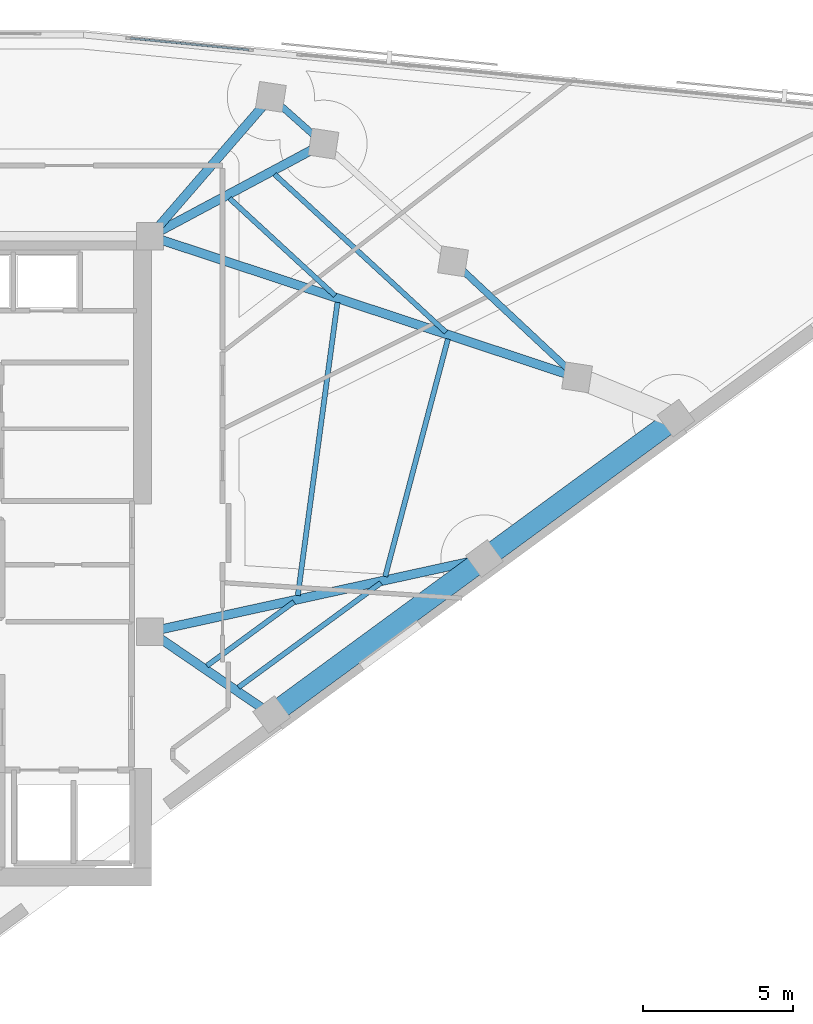
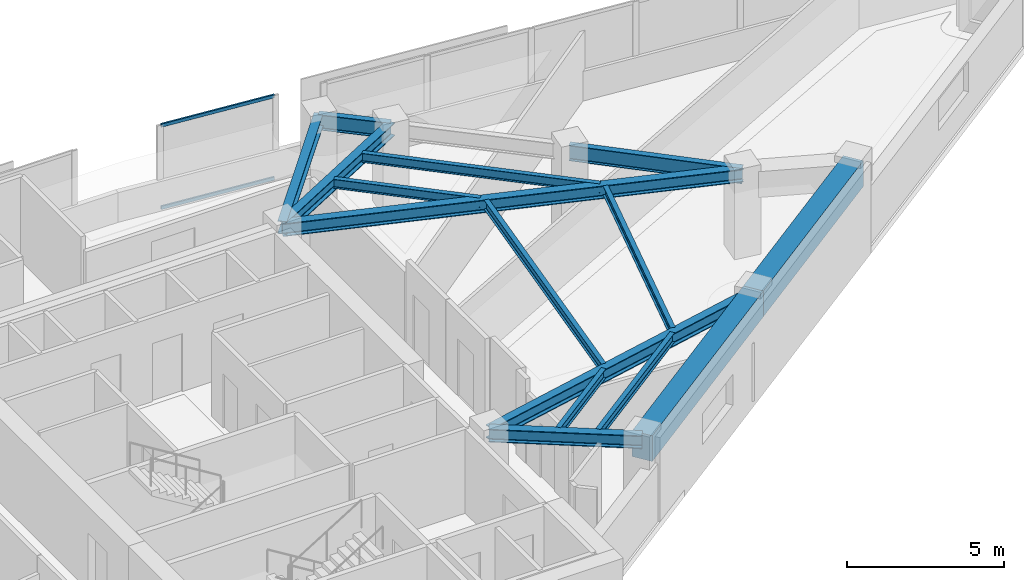
# One storey, part 4 of 13: 15 beams, 2 members, 1 element without a shape of its own.
"""IFC4 building model written with IfcOpenShell, lengths in metres."""

from ifc_helpers import new_model, si_unit, direction, frame, origin, origin_2d, place, context, subcontext, project, spatial, rectangle, hollow_rectangle, i_section, extrude, material, material_profile, profile_set, type_object, element, aggregate, save


model = new_model("IFC4")

# Units and contexts
model_context = context("Model", 3, precision=1e-05, world=origin(), true_north=direction((0.0, 1.0)))
body_context = subcontext(model_context, "Body", "Model", "MODEL_VIEW")
ifc_project = project(units=[si_unit("LENGTHUNIT", "METRE"), si_unit("AREAUNIT", "SQUARE_METRE"), si_unit("VOLUMEUNIT", "CUBIC_METRE"), si_unit("PLANEANGLEUNIT", "RADIAN"), si_unit("MASSUNIT", "GRAM", prefix="KILO")], contexts=[model_context])

# Site, building, storey
site_placement = place(None, origin())
site = spatial("IfcSite", under=ifc_project, at=site_placement, CompositionType="ELEMENT")
building_placement = place(site_placement, origin())
building = spatial("IfcBuilding", under=site, at=building_placement, Name="Narakoshi Arena Tower", CompositionType="ELEMENT")
storey_placement = place(building_placement, frame((0.0, 0.0, 243.139892578125)))
storey = spatial("IfcBuildingStorey", under=building, at=storey_placement, Name="L66", CompositionType="ELEMENT", Elevation=243.139892578125)

# Beams
ifc_material_1 = material(Name="Concrete C60/75", Category="concrete")
ifc_material_profile_1 = material_profile(ifc_material_1, rectangle(XDim=0.699951171875, YDim=1.0, at=origin_2d()), Name="RCB700x1000")
ifc_profile_set_1 = profile_set([ifc_material_profile_1], Name="Concrete C60/75")
beam_type_1 = type_object("IfcBeamType", Name="BM-CPL-1000", PredefinedType="BEAM", material=ifc_profile_set_1)
beam_1_placement = place(storey_placement, frame((89.58642578125, 40.594482421875, 2.760009765625), z_axis=(0.806446564509, 0.591306974922, 0.0), x_axis=(-0.591306974922, 0.806446564509, 0.0)))
element("IfcBeam", 1, at=beam_1_placement, inside=storey, type_object=beam_type_1, Name="L66 Perimeter Edge Girder 01", PredefinedType="BEAM", context=body_context, shape_type="SweptSolid", body=[
    extrude(rectangle(XDim=0.699951171875, YDim=1.0, at=origin_2d()), origin(), (0.0, 0.0, 1.0), 8.775390625),
])
beam_2_placement = place(storey_placement, frame((96.663330078125, 45.783447265625, 2.760009765625), z_axis=(0.806437425649, 0.59131943864, 0.0), x_axis=(-0.59131943864, 0.806437425649, 0.0)))
element("IfcBeam", 2, at=beam_2_placement, inside=storey, type_object=beam_type_1, Name="L66 Perimeter Edge Girder 02", PredefinedType="BEAM", context=body_context, shape_type="SweptSolid", body=[
    extrude(rectangle(XDim=0.699951171875, YDim=1.0, at=origin_2d()), origin(), (0.0, 0.0, 1.0), 7.89794921875),
])
ifc_material_2 = material(Name="Structural steel S355J2", Category="steel")
ifc_material_profile_2 = material_profile(ifc_material_2, i_section(OverallWidth=0.219970703125, OverallDepth=0.60009765625, WebThickness=0.011962890625, FlangeThickness=0.01904296875, FilletRadius=0.02392578125, at=origin_2d()), Name="IPE600")
ifc_profile_set_2 = profile_set([ifc_material_profile_2], Name="Structural steel S355J2")
beam_type_2 = type_object("IfcBeamType", Name="BM-EDGE-600", PredefinedType="BEAM", material=ifc_profile_set_2)
beam_3_placement = place(storey_placement, frame((99.74267578125, 51.80712890625, 2.960205078125), z_axis=(-0.730193480459, 0.683240427006, 0.0), x_axis=(-0.683240427006, -0.730193480459, 0.0)))
element("IfcBeam", 3, at=beam_3_placement, inside=storey, type_object=beam_type_2, Name="L66 Perimeter Edge Girder 04", PredefinedType="BEAM", context=body_context, shape_type="SweptSolid", body=[
    extrude(i_section(OverallWidth=0.219970703125, OverallDepth=0.60009765625, WebThickness=0.011962890625, FlangeThickness=0.01904296875, FilletRadius=0.02392578125, at=origin_2d()), origin(), (0.0, 0.0, 1.0), 5.646728515625),
])
beam_4_placement = place(storey_placement, frame((91.311279296875, 59.576416015625, 2.960205078125), z_axis=(-0.746770864852, 0.665081405099, 0.0), x_axis=(-0.665081405099, -0.746770864852, 0.0)))
element("IfcBeam", 4, at=beam_4_placement, inside=storey, type_object=beam_type_2, Name="L66 Perimeter Edge Girder 06", PredefinedType="BEAM", context=body_context, shape_type="SweptSolid", body=[
    extrude(i_section(OverallWidth=0.219970703125, OverallDepth=0.60009765625, WebThickness=0.011962890625, FlangeThickness=0.01904296875, FilletRadius=0.02392578125, at=origin_2d()), origin(), (0.0, 0.0, 1.0), 2.343017578125),
])
ifc_material_profile_3 = material_profile(ifc_material_2, i_section(OverallWidth=0.300048828125, OverallDepth=0.5, WebThickness=0.014404296875, FlangeThickness=0.028076171875, FilletRadius=0.027099609375, at=origin_2d()), Name="HE500B")
ifc_profile_set_3 = profile_set([ifc_material_profile_3], Name="Structural steel S355J2")
beam_type_3 = type_object("IfcBeamType", Name="BM-PRI-500", PredefinedType="BEAM", material=ifc_profile_set_3)
beam_5_placement = place(storey_placement, frame((85.550048828125, 43.35009765625, 3.010009765625), z_axis=(0.825890057955, -0.563831191201, 0.0), x_axis=(0.563831191201, 0.825890057955, 0.0)))
element("IfcBeam", 5, at=beam_5_placement, inside=storey, type_object=beam_type_3, Name="L66 Radial Primary Floor Girder 01", PredefinedType="BEAM", context=body_context, shape_type="SweptSolid", body=[
    extrude(i_section(OverallWidth=0.300048828125, OverallDepth=0.5, WebThickness=0.014404296875, FlangeThickness=0.028076171875, FilletRadius=0.027099609375, at=origin_2d()), origin(), (0.0, 0.0, 1.0), 4.88720703125),
])
beam_6_placement = place(storey_placement, frame((85.550048828125, 43.35009765625, 3.010009765625), z_axis=(0.976857438099, 0.213891434216, 0.0), x_axis=(-0.213891434216, 0.976857438099, 0.0)))
element("IfcBeam", 6, at=beam_6_placement, inside=storey, type_object=beam_type_3, Name="L66 Radial Primary Floor Girder 02", PredefinedType="BEAM", context=body_context, shape_type="SweptSolid", body=[
    extrude(i_section(OverallWidth=0.300048828125, OverallDepth=0.5, WebThickness=0.014404296875, FlangeThickness=0.028076171875, FilletRadius=0.027099609375, at=origin_2d()), origin(), (0.0, 0.0, 1.0), 11.37646484375),
])
beam_7_placement = place(storey_placement, frame((85.550048828125, 56.5, 3.010009765625), z_axis=(0.949443255158, -0.31393869662, 0.0), x_axis=(0.31393869662, 0.949443255158, 0.0)))
element("IfcBeam", 7, at=beam_7_placement, inside=storey, type_object=beam_type_3, Name="L66 Radial Primary Floor Girder 04", PredefinedType="BEAM", context=body_context, shape_type="SweptSolid", body=[
    extrude(i_section(OverallWidth=0.300048828125, OverallDepth=0.5, WebThickness=0.014404296875, FlangeThickness=0.028076171875, FilletRadius=0.027099609375, at=origin_2d()), origin(), (0.0, 0.0, 1.0), 14.948486328125),
])
beam_8_placement = place(storey_placement, frame((85.550048828125, 56.5, 3.010009765625), z_axis=(0.882113796729, 0.471036357004, 0.0), x_axis=(-0.471036357004, 0.882113796729, 0.0)))
element("IfcBeam", 8, at=beam_8_placement, inside=storey, type_object=beam_type_3, Name="L66 Radial Primary Floor Girder 06", PredefinedType="BEAM", context=body_context, shape_type="SweptSolid", body=[
    extrude(i_section(OverallWidth=0.300048828125, OverallDepth=0.5, WebThickness=0.014404296875, FlangeThickness=0.028076171875, FilletRadius=0.027099609375, at=origin_2d()), origin(), (0.0, 0.0, 1.0), 6.53125),
])
beam_9_placement = place(storey_placement, frame((85.550048828125, 56.5, 3.010009765625), z_axis=(0.654434553487, 0.756118651537, 0.0), x_axis=(-0.756118651537, 0.654434553487, 0.0)))
element("IfcBeam", 9, at=beam_9_placement, inside=storey, type_object=beam_type_3, Name="L66 Radial Primary Floor Girder 07", PredefinedType="BEAM", context=body_context, shape_type="SweptSolid", body=[
    extrude(i_section(OverallWidth=0.300048828125, OverallDepth=0.5, WebThickness=0.014404296875, FlangeThickness=0.028076171875, FilletRadius=0.027099609375, at=origin_2d()), origin(), (0.0, 0.0, 1.0), 6.129638671875),
])
ifc_material_profile_4 = material_profile(ifc_material_2, i_section(OverallWidth=0.169921875, OverallDepth=0.360107421875, WebThickness=0.008056640625, FlangeThickness=0.0126953125, FilletRadius=0.01806640625, at=origin_2d()), Name="IPE360")
ifc_profile_set_4 = profile_set([ifc_material_profile_4], Name="Structural steel S355J2")
beam_type_4 = type_object("IfcBeamType", Name="BM-SEC-360", PredefinedType="JOIST", material=ifc_profile_set_4)
beam_10_placement = place(storey_placement, frame((87.434814453125, 42.21728515625, 3.080078125), z_axis=(0.806454701417, 0.591295877343, 0.0), x_axis=(-0.591295877343, 0.806454701417, 0.0)))
element("IfcBeam", 10, at=beam_10_placement, inside=storey, type_object=beam_type_4, Name="L66 Composite Secondary Floor Joist 01", PredefinedType="JOIST", context=body_context, shape_type="SweptSolid", body=[
    extrude(i_section(OverallWidth=0.169921875, OverallDepth=0.360107421875, WebThickness=0.008056640625, FlangeThickness=0.0126953125, FilletRadius=0.01806640625, at=origin_2d()), origin(), (0.0, 0.0, 1.0), 3.59130859375),
])
beam_11_placement = place(storey_placement, frame((88.484375, 41.5009765625, 3.080078125), z_axis=(0.806443321538, 0.591311397781, 0.0), x_axis=(-0.591311397781, 0.806443321538, 0.0)))
element("IfcBeam", 11, at=beam_11_placement, inside=storey, type_object=beam_type_4, Name="L66 Composite Secondary Floor Joist 02", PredefinedType="JOIST", context=body_context, shape_type="SweptSolid", body=[
    extrude(i_section(OverallWidth=0.169921875, OverallDepth=0.360107421875, WebThickness=0.008056640625, FlangeThickness=0.0126953125, FilletRadius=0.01806640625, at=origin_2d()), origin(), (0.0, 0.0, 1.0), 5.872802734375),
])
beam_12_placement = place(storey_placement, frame((90.4580078125, 44.554443359375, 3.080078125), z_axis=(0.134064156179, 0.990972654531, 0.0), x_axis=(-0.990972654531, 0.134064156179, 0.0)))
element("IfcBeam", 12, at=beam_12_placement, inside=storey, type_object=beam_type_4, Name="L66 Composite Secondary Floor Joist 03", PredefinedType="JOIST", context=body_context, shape_type="SweptSolid", body=[
    extrude(i_section(OverallWidth=0.169921875, OverallDepth=0.360107421875, WebThickness=0.008056640625, FlangeThickness=0.0126953125, FilletRadius=0.01806640625, at=origin_2d()), origin(), (0.0, 0.0, 1.0), 9.835693359375),
])
beam_13_placement = place(storey_placement, frame((93.364013671875, 45.18408203125, 3.080078125), z_axis=(0.255309441517, 0.966859394675, 0.0), x_axis=(-0.966859394675, 0.255309441517, 0.0)))
element("IfcBeam", 13, at=beam_13_placement, inside=storey, type_object=beam_type_4, Name="L66 Composite Secondary Floor Joist 04", PredefinedType="JOIST", context=body_context, shape_type="SweptSolid", body=[
    extrude(i_section(OverallWidth=0.169921875, OverallDepth=0.360107421875, WebThickness=0.008056640625, FlangeThickness=0.0126953125, FilletRadius=0.01806640625, at=origin_2d()), origin(), (0.0, 0.0, 1.0), 8.171142578125),
])
beam_14_placement = place(storey_placement, frame((91.695556640625, 54.526611328125, 3.080078125), z_axis=(-0.735404955646, 0.677627885503, 0.0), x_axis=(-0.677627885503, -0.735404955646, 0.0)))
element("IfcBeam", 14, at=beam_14_placement, inside=storey, type_object=beam_type_4, Name="L66 Composite Secondary Floor Joist 05", PredefinedType="JOIST", context=body_context, shape_type="SweptSolid", body=[
    extrude(i_section(OverallWidth=0.169921875, OverallDepth=0.360107421875, WebThickness=0.008056640625, FlangeThickness=0.0126953125, FilletRadius=0.01806640625, at=origin_2d()), origin(), (0.0, 0.0, 1.0), 4.77490234375),
])
beam_15_placement = place(storey_placement, frame((95.385498046875, 53.306396484375, 3.080078125), z_axis=(-0.735383678615, 0.677650975966, 0.0), x_axis=(-0.677650975966, -0.735383678615, 0.0)))
element("IfcBeam", 15, at=beam_15_placement, inside=storey, type_object=beam_type_4, Name="L66 Composite Secondary Floor Joist 06", PredefinedType="JOIST", context=body_context, shape_type="SweptSolid", body=[
    extrude(i_section(OverallWidth=0.169921875, OverallDepth=0.360107421875, WebThickness=0.008056640625, FlangeThickness=0.0126953125, FilletRadius=0.01806640625, at=origin_2d()), origin(), (0.0, 0.0, 1.0), 7.755615234375),
])

# Curtain wall, members
ifc_material_3 = material(Name="Anodised bronze aluminium 6063-T6", Category="aluminium")
curtain_wall_type = type_object("IfcCurtainWallType", Name="CW-HYP-HIGH", PredefinedType="NOTDEFINED", material=ifc_material_3)
curtain_wall_placement = place(storey_placement, origin())
curtain_wall = element("IfcCurtainWall", 16, at=curtain_wall_placement, inside=storey, type_object=curtain_wall_type, Name="L66 Folded Hypotenuse Curtain Wall 1-2", PredefinedType="NOTDEFINED")
ifc_material_profile_5 = material_profile(ifc_material_3, hollow_rectangle(XDim=0.06494140625, YDim=0.1298828125, WallThickness=0.00390625, OuterFilletRadius=0.0048828125, at=origin_2d()), Name="TRN130x65x4")
ifc_profile_set_5 = profile_set([ifc_material_profile_5], Name="Anodised bronze aluminium 6063-T6")
member_type = type_object("IfcMemberType", Name="MEM-TRN-130", PredefinedType="USERDEFINED", material=ifc_profile_set_5)
member_1_placement = place(storey_placement, frame((88.830810546875, 62.69775390625, 0.03271484375), z_axis=(-0.995301216231, 0.096827108647, 0.0), x_axis=(-0.096827108647, -0.995301216231, 0.0)))
member_1 = element("IfcMember", 17, at=member_1_placement, type_object=member_type, Name="CW-03 transom 1.1", ObjectType="TRANSOM", PredefinedType="USERDEFINED", context=body_context, shape_type="SweptSolid", body=[
    extrude(hollow_rectangle(XDim=0.06494140625, YDim=0.1298828125, WallThickness=0.00390625, OuterFilletRadius=0.0048828125, at=origin_2d()), origin(), (0.0, 0.0, 1.0), 3.9560546875),
])
member_2_placement = place(storey_placement, frame((88.830810546875, 62.69775390625, 3.2275390625), z_axis=(-0.995301216231, 0.096827108647, 0.0), x_axis=(-0.096827108647, -0.995301216231, 0.0)))
member_2 = element("IfcMember", 18, at=member_2_placement, type_object=member_type, Name="CW-03 transom 1.2", ObjectType="TRANSOM", PredefinedType="USERDEFINED", context=body_context, shape_type="SweptSolid", body=[
    extrude(hollow_rectangle(XDim=0.06494140625, YDim=0.1298828125, WallThickness=0.00390625, OuterFilletRadius=0.0048828125, at=origin_2d()), origin(), (0.0, 0.0, 1.0), 3.9560546875),
])
aggregate(curtain_wall, [member_1, member_2])

save(model, "model.ifc")
